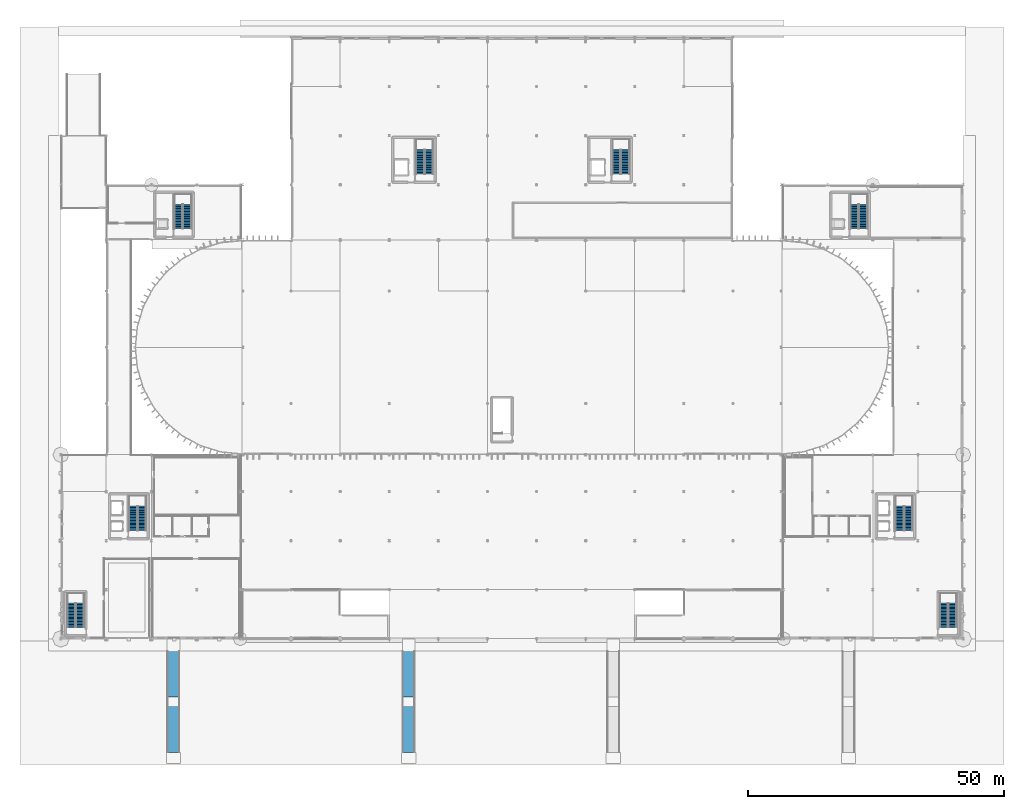
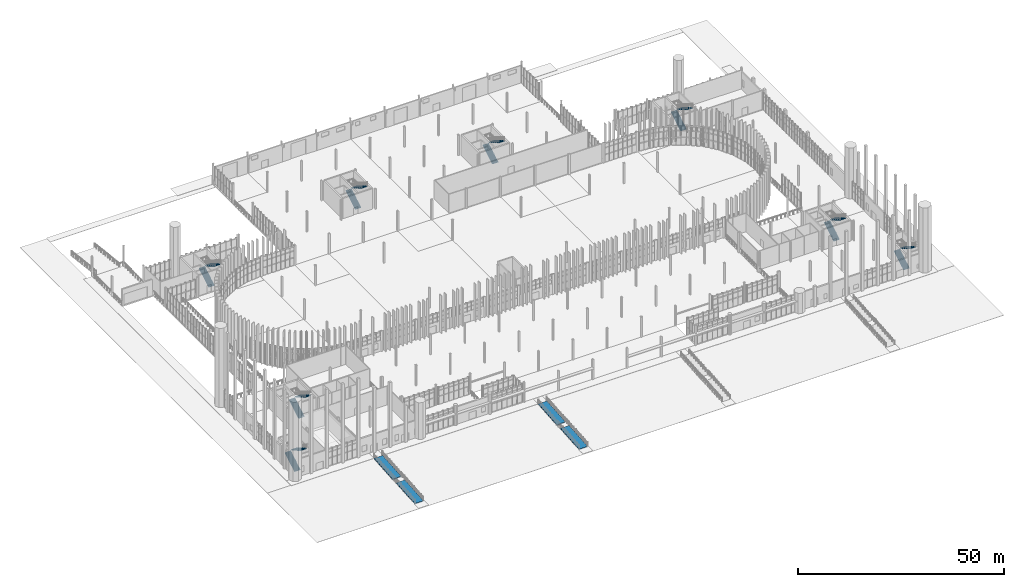
# One storey, part 108 of 139: 16 stair flights, 4 ramp flights, 10 elements without a shape of their own.
"""IFC4 building model written with IfcOpenShell, lengths in metres."""

from ifc_helpers import new_model, si_unit, direction, frame, origin, place, context, subcontext, project, spatial, polyline, outline, extrude, material, layer, layer_set, type_object, element, aggregate, save


model = new_model("IFC4")

# Units and contexts
model_context = context("Model", 3, precision=1e-05, world=origin(), true_north=direction((0.0, 1.0)))
body_context = subcontext(model_context, "Body", "Model", "MODEL_VIEW")
ifc_project = project(units=[si_unit("LENGTHUNIT", "METRE"), si_unit("AREAUNIT", "SQUARE_METRE"), si_unit("VOLUMEUNIT", "CUBIC_METRE"), si_unit("PLANEANGLEUNIT", "RADIAN"), si_unit("MASSUNIT", "GRAM", prefix="KILO")], contexts=[model_context])

# Site, building, storey
site_placement = place(None, origin())
site = spatial("IfcSite", under=ifc_project, at=site_placement, CompositionType="ELEMENT")
building_placement = place(site_placement, origin())
building = spatial("IfcBuilding", under=site, at=building_placement, Name="Yeouljin Market Hall", CompositionType="ELEMENT")
storey_placement = place(building_placement, origin())
storey = spatial("IfcBuildingStorey", under=building, at=storey_placement, Name="L00", CompositionType="ELEMENT", Elevation=0.0)

# Stair, stair flights
ifc_material_1 = material(Name="Concrete C30/37", Category="concrete")
stair_type_1 = type_object("IfcStairType", Name="Stair_Core_L00_L01", PredefinedType="TWO_STRAIGHT_RUN_STAIR", material=ifc_material_1)
stair_1_placement = place(storey_placement, origin())
stair_1 = element("IfcStair", 1, at=stair_1_placement, inside=storey, type_object=stair_type_1, Name="Enclosed exit stair ST-C1-L00", PredefinedType="TWO_STRAIGHT_RUN_STAIR")
ifc_material_2 = material(Name="Concrete C30/37", Category="concrete")
ifc_layer_1 = layer(ifc_material_2, 0.159912109375)
ifc_layer_set_1 = layer_set([ifc_layer_1], Name="Concrete C30/37")
stair_flight_type_1 = type_object("IfcStairFlightType", Name="StairFlight_1580", PredefinedType="STRAIGHT", material=ifc_layer_set_1)
stair_flight_1_placement = place(storey_placement, frame((14.14990234375, 21.199951171875, 0.0), z_axis=(0.0, 0.0, 1.0), x_axis=(0.0, 1.0, 0.0)))
stair_flight_1 = element("IfcStairFlight", 2, at=stair_flight_1_placement, type_object=stair_flight_type_1, Name="ST-C1-L00 flight 1", NumberOfRisers=18, NumberOfTreads=17, PredefinedType="STRAIGHT", RiserHeight=0.166666667, TreadLength=0.28, context=body_context, shape_type="SweptSolid", body=[
    extrude(outline(polyline([(0.0, 0.0), (0.0, 0.166748046875), (0.280029296875, 0.166748046875), (0.280029296875, 0.333251953125), (0.56005859375, 0.333251953125), (0.56005859375, 0.5), (0.840087890625, 0.5), (0.840087890625, 0.666748046875), (1.1201171875, 0.666748046875), (1.1201171875, 0.833251953125), (1.39990234375, 0.833251953125), (1.39990234375, 1.0), (1.679931640625, 1.0), (1.679931640625, 1.166748046875), (1.9599609375, 1.166748046875), (1.9599609375, 1.333251953125), (2.239990234375, 1.333251953125), (2.239990234375, 1.5), (2.52001953125, 1.5), (2.52001953125, 1.666748046875), (2.800048828125, 1.666748046875), (2.800048828125, 1.833251953125), (3.080078125, 1.833251953125), (3.080078125, 2.0), (3.360107421875, 2.0), (3.360107421875, 2.166748046875), (3.639892578125, 2.166748046875), (3.639892578125, 2.333251953125), (3.919921875, 2.333251953125), (3.919921875, 2.5), (4.199951171875, 2.5), (4.199951171875, 2.666748046875), (4.47998046875, 2.666748046875), (4.47998046875, 2.833251953125), (4.760009765625, 2.833251953125), (4.760009765625, 3.0), (4.760009765625, 2.6240234375), (0.351806640625, 0.0), (0.0, 0.0)])), frame((0.0, 0.81005859375, 0.0), z_axis=(0.0, -1.0, 0.0), x_axis=(1.0, 0.0, 0.0)), (0.0, 0.0, 1.0), 1.6201171875),
])
stair_flight_2_placement = place(storey_placement, frame((15.85009765625, 25.9599609375, 3.0), z_axis=(0.0, 0.0, 1.0), x_axis=(0.0, -1.0, 0.0)))
stair_flight_2 = element("IfcStairFlight", 3, at=stair_flight_2_placement, type_object=stair_flight_type_1, Name="ST-C1-L00 flight 2", NumberOfRisers=18, NumberOfTreads=17, PredefinedType="STRAIGHT", RiserHeight=0.166666667, TreadLength=0.28, context=body_context, shape_type="SweptSolid", body=[
    extrude(outline(polyline([(0.0, 0.0), (0.0, 0.166748046875), (0.280029296875, 0.166748046875), (0.280029296875, 0.333251953125), (0.56005859375, 0.333251953125), (0.56005859375, 0.5), (0.840087890625, 0.5), (0.840087890625, 0.666748046875), (1.1201171875, 0.666748046875), (1.1201171875, 0.833251953125), (1.39990234375, 0.833251953125), (1.39990234375, 1.0), (1.679931640625, 1.0), (1.679931640625, 1.166748046875), (1.9599609375, 1.166748046875), (1.9599609375, 1.333251953125), (2.239990234375, 1.333251953125), (2.239990234375, 1.5), (2.52001953125, 1.5), (2.52001953125, 1.666748046875), (2.800048828125, 1.666748046875), (2.800048828125, 1.833251953125), (3.080078125, 1.833251953125), (3.080078125, 2.0), (3.360107421875, 2.0), (3.360107421875, 2.166748046875), (3.639892578125, 2.166748046875), (3.639892578125, 2.333251953125), (3.919921875, 2.333251953125), (3.919921875, 2.5), (4.199951171875, 2.5), (4.199951171875, 2.666748046875), (4.47998046875, 2.666748046875), (4.47998046875, 2.833251953125), (4.760009765625, 2.833251953125), (4.760009765625, 3.0), (4.760009765625, 2.6240234375), (0.351806640625, 0.0), (0.0, 0.0)])), frame((0.0, 0.81005859375, 0.0), z_axis=(0.0, -1.0, 0.0), x_axis=(1.0, 0.0, 0.0)), (0.0, 0.0, 1.0), 1.6201171875),
])
aggregate(stair_1, [stair_flight_1, stair_flight_2])

ifc_material_3 = material(Name="Concrete C30/37", Category="concrete")
stair_type_2 = type_object("IfcStairType", Name="Stair_Escape_Wing", PredefinedType="HALF_TURN_STAIR", material=ifc_material_3)
stair_2_placement = place(storey_placement, origin())
stair_2 = element("IfcStair", 4, at=stair_2_placement, inside=storey, type_object=stair_type_2, Name="Enclosed exit stair ST-S7-L00", PredefinedType="HALF_TURN_STAIR")
stair_flight_3_placement = place(storey_placement, frame((2.050048828125, 2.25, 0.0), z_axis=(0.0, 0.0, 1.0), x_axis=(0.0, 1.0, 0.0)))
stair_flight_3 = element("IfcStairFlight", 5, at=stair_flight_3_placement, type_object=stair_flight_type_1, Name="ST-S7-L00 flight 1", NumberOfRisers=18, NumberOfTreads=17, PredefinedType="STRAIGHT", RiserHeight=0.166666667, TreadLength=0.28, context=body_context, shape_type="SweptSolid", body=[
    extrude(outline(polyline([(0.0, 0.0), (0.0, 0.166748046875), (0.280029296875, 0.166748046875), (0.280029296875, 0.333251953125), (0.56005859375, 0.333251953125), (0.56005859375, 0.5), (0.840087890625, 0.5), (0.840087890625, 0.666748046875), (1.1201171875, 0.666748046875), (1.1201171875, 0.833251953125), (1.39990234375, 0.833251953125), (1.39990234375, 1.0), (1.679931640625, 1.0), (1.679931640625, 1.166748046875), (1.9599609375, 1.166748046875), (1.9599609375, 1.333251953125), (2.239990234375, 1.333251953125), (2.239990234375, 1.5), (2.52001953125, 1.5), (2.52001953125, 1.666748046875), (2.800048828125, 1.666748046875), (2.800048828125, 1.833251953125), (3.080078125, 1.833251953125), (3.080078125, 2.0), (3.360107421875, 2.0), (3.360107421875, 2.166748046875), (3.639892578125, 2.166748046875), (3.639892578125, 2.333251953125), (3.919921875, 2.333251953125), (3.919921875, 2.5), (4.199951171875, 2.5), (4.199951171875, 2.666748046875), (4.47998046875, 2.666748046875), (4.47998046875, 2.833251953125), (4.760009765625, 2.833251953125), (4.760009765625, 3.0), (4.760009765625, 2.6240234375), (0.351806640625, 0.0), (0.0, 0.0)])), frame((0.0, 0.81005859375, 0.0), z_axis=(0.0, -1.0, 0.0), x_axis=(1.0, 0.0, 0.0)), (0.0, 0.0, 1.0), 1.6201171875),
])
stair_flight_4_placement = place(storey_placement, frame((3.75, 7.010009765625, 3.0), z_axis=(0.0, 0.0, 1.0), x_axis=(0.0, -1.0, 0.0)))
stair_flight_4 = element("IfcStairFlight", 6, at=stair_flight_4_placement, type_object=stair_flight_type_1, Name="ST-S7-L00 flight 2", NumberOfRisers=18, NumberOfTreads=17, PredefinedType="STRAIGHT", RiserHeight=0.166666667, TreadLength=0.28, context=body_context, shape_type="SweptSolid", body=[
    extrude(outline(polyline([(0.0, 0.0), (0.0, 0.166748046875), (0.280029296875, 0.166748046875), (0.280029296875, 0.333251953125), (0.56005859375, 0.333251953125), (0.56005859375, 0.5), (0.840087890625, 0.5), (0.840087890625, 0.666748046875), (1.1201171875, 0.666748046875), (1.1201171875, 0.833251953125), (1.39990234375, 0.833251953125), (1.39990234375, 1.0), (1.679931640625, 1.0), (1.679931640625, 1.166748046875), (1.9599609375, 1.166748046875), (1.9599609375, 1.333251953125), (2.239990234375, 1.333251953125), (2.239990234375, 1.5), (2.52001953125, 1.5), (2.52001953125, 1.666748046875), (2.800048828125, 1.666748046875), (2.800048828125, 1.833251953125), (3.080078125, 1.833251953125), (3.080078125, 2.0), (3.360107421875, 2.0), (3.360107421875, 2.166748046875), (3.639892578125, 2.166748046875), (3.639892578125, 2.333251953125), (3.919921875, 2.333251953125), (3.919921875, 2.5), (4.199951171875, 2.5), (4.199951171875, 2.666748046875), (4.47998046875, 2.666748046875), (4.47998046875, 2.833251953125), (4.760009765625, 2.833251953125), (4.760009765625, 3.0), (4.760009765625, 2.6240234375), (0.351806640625, 0.0), (0.0, 0.0)])), frame((0.0, 0.81005859375, 0.0), z_axis=(0.0, -1.0, 0.0), x_axis=(1.0, 0.0, 0.0)), (0.0, 0.0, 1.0), 1.6201171875),
])
aggregate(stair_2, [stair_flight_3, stair_flight_4])

stair_3_placement = place(storey_placement, origin())
stair_3 = element("IfcStair", 7, at=stair_3_placement, inside=storey, type_object=stair_type_1, Name="Enclosed exit stair ST-C2-L00", PredefinedType="TWO_STRAIGHT_RUN_STAIR")
ifc_material_4 = material(Name="Concrete C30/37", Category="concrete")
ifc_layer_2 = layer(ifc_material_4, 0.179931640625)
ifc_layer_set_2 = layer_set([ifc_layer_2], Name="Concrete C30/37")
stair_flight_type_2 = type_object("IfcStairFlightType", Name="StairFlight_1620", PredefinedType="STRAIGHT", material=ifc_layer_set_2)
stair_flight_5_placement = place(storey_placement, frame((23.0, 80.199951171875, 0.0), z_axis=(0.0, 0.0, 1.0), x_axis=(0.0, 1.0, 0.0)))
stair_flight_5 = element("IfcStairFlight", 8, at=stair_flight_5_placement, type_object=stair_flight_type_2, Name="ST-C2-L00 flight 1", NumberOfRisers=18, NumberOfTreads=17, PredefinedType="STRAIGHT", RiserHeight=0.166666667, TreadLength=0.28, context=body_context, shape_type="SweptSolid", body=[
    extrude(outline(polyline([(0.0, 0.0), (0.0, 0.166748046875), (0.280029296875, 0.166748046875), (0.280029296875, 0.333251953125), (0.56005859375, 0.333251953125), (0.56005859375, 0.5), (0.840087890625, 0.5), (0.840087890625, 0.666748046875), (1.1201171875, 0.666748046875), (1.1201171875, 0.833251953125), (1.39990234375, 0.833251953125), (1.39990234375, 1.0), (1.679931640625, 1.0), (1.679931640625, 1.166748046875), (1.9599609375, 1.166748046875), (1.9599609375, 1.333251953125), (2.239990234375, 1.333251953125), (2.239990234375, 1.5), (2.52001953125, 1.5), (2.52001953125, 1.666748046875), (2.800048828125, 1.666748046875), (2.800048828125, 1.833251953125), (3.080078125, 1.833251953125), (3.080078125, 2.0), (3.360107421875, 2.0), (3.360107421875, 2.166748046875), (3.639892578125, 2.166748046875), (3.639892578125, 2.333251953125), (3.919921875, 2.333251953125), (3.919921875, 2.5), (4.199951171875, 2.5), (4.199951171875, 2.666748046875), (4.47998046875, 2.666748046875), (4.47998046875, 2.833251953125), (4.760009765625, 2.833251953125), (4.760009765625, 3.0), (4.760009765625, 2.6240234375), (0.351806640625, 0.0), (0.0, 0.0)])), frame((0.0, 0.81005859375, 0.0), z_axis=(0.0, -1.0, 0.0), x_axis=(1.0, 0.0, 0.0)), (0.0, 0.0, 1.0), 1.6201171875),
])
stair_flight_6_placement = place(storey_placement, frame((24.699951171875, 84.9599609375, 3.0), z_axis=(0.0, 0.0, 1.0), x_axis=(0.0, -1.0, 0.0)))
stair_flight_6 = element("IfcStairFlight", 9, at=stair_flight_6_placement, type_object=stair_flight_type_2, Name="ST-C2-L00 flight 2", NumberOfRisers=18, NumberOfTreads=17, PredefinedType="STRAIGHT", RiserHeight=0.166666667, TreadLength=0.28, context=body_context, shape_type="SweptSolid", body=[
    extrude(outline(polyline([(0.0, 0.0), (0.0, 0.166748046875), (0.280029296875, 0.166748046875), (0.280029296875, 0.333251953125), (0.56005859375, 0.333251953125), (0.56005859375, 0.5), (0.840087890625, 0.5), (0.840087890625, 0.666748046875), (1.1201171875, 0.666748046875), (1.1201171875, 0.833251953125), (1.39990234375, 0.833251953125), (1.39990234375, 1.0), (1.679931640625, 1.0), (1.679931640625, 1.166748046875), (1.9599609375, 1.166748046875), (1.9599609375, 1.333251953125), (2.239990234375, 1.333251953125), (2.239990234375, 1.5), (2.52001953125, 1.5), (2.52001953125, 1.666748046875), (2.800048828125, 1.666748046875), (2.800048828125, 1.833251953125), (3.080078125, 1.833251953125), (3.080078125, 2.0), (3.360107421875, 2.0), (3.360107421875, 2.166748046875), (3.639892578125, 2.166748046875), (3.639892578125, 2.333251953125), (3.919921875, 2.333251953125), (3.919921875, 2.5), (4.199951171875, 2.5), (4.199951171875, 2.666748046875), (4.47998046875, 2.666748046875), (4.47998046875, 2.833251953125), (4.760009765625, 2.833251953125), (4.760009765625, 3.0), (4.760009765625, 2.6240234375), (0.351806640625, 0.0), (0.0, 0.0)])), frame((0.0, 0.81005859375, 0.0), z_axis=(0.0, -1.0, 0.0), x_axis=(1.0, 0.0, 0.0)), (0.0, 0.0, 1.0), 1.6201171875),
])
aggregate(stair_3, [stair_flight_5, stair_flight_6])

stair_4_placement = place(storey_placement, origin())
stair_4 = element("IfcStair", 10, at=stair_4_placement, inside=storey, type_object=stair_type_1, Name="Enclosed exit stair ST-C3-L00", PredefinedType="TWO_STRAIGHT_RUN_STAIR")
stair_flight_7_placement = place(storey_placement, frame((164.02001953125, 21.199951171875, 0.0), z_axis=(0.0, 0.0, 1.0), x_axis=(0.0, 1.0, 0.0)))
stair_flight_7 = element("IfcStairFlight", 11, at=stair_flight_7_placement, type_object=stair_flight_type_2, Name="ST-C3-L00 flight 1", NumberOfRisers=18, NumberOfTreads=17, PredefinedType="STRAIGHT", RiserHeight=0.166666667, TreadLength=0.28, context=body_context, shape_type="SweptSolid", body=[
    extrude(outline(polyline([(0.0, 0.0), (0.0, 0.166748046875), (0.280029296875, 0.166748046875), (0.280029296875, 0.333251953125), (0.56005859375, 0.333251953125), (0.56005859375, 0.5), (0.840087890625, 0.5), (0.840087890625, 0.666748046875), (1.1201171875, 0.666748046875), (1.1201171875, 0.833251953125), (1.39990234375, 0.833251953125), (1.39990234375, 1.0), (1.679931640625, 1.0), (1.679931640625, 1.166748046875), (1.9599609375, 1.166748046875), (1.9599609375, 1.333251953125), (2.239990234375, 1.333251953125), (2.239990234375, 1.5), (2.52001953125, 1.5), (2.52001953125, 1.666748046875), (2.800048828125, 1.666748046875), (2.800048828125, 1.833251953125), (3.080078125, 1.833251953125), (3.080078125, 2.0), (3.360107421875, 2.0), (3.360107421875, 2.166748046875), (3.639892578125, 2.166748046875), (3.639892578125, 2.333251953125), (3.919921875, 2.333251953125), (3.919921875, 2.5), (4.199951171875, 2.5), (4.199951171875, 2.666748046875), (4.47998046875, 2.666748046875), (4.47998046875, 2.833251953125), (4.760009765625, 2.833251953125), (4.760009765625, 3.0), (4.760009765625, 2.6240234375), (0.351806640625, 0.0), (0.0, 0.0)])), frame((0.0, 0.81005859375, 0.0), z_axis=(0.0, -1.0, 0.0), x_axis=(1.0, 0.0, 0.0)), (0.0, 0.0, 1.0), 1.6201171875),
])
stair_flight_8_placement = place(storey_placement, frame((165.719970703125, 25.9599609375, 3.0), z_axis=(0.0, 0.0, 1.0), x_axis=(0.0, -1.0, 0.0)))
stair_flight_8 = element("IfcStairFlight", 12, at=stair_flight_8_placement, type_object=stair_flight_type_2, Name="ST-C3-L00 flight 2", NumberOfRisers=18, NumberOfTreads=17, PredefinedType="STRAIGHT", RiserHeight=0.166666667, TreadLength=0.28, context=body_context, shape_type="SweptSolid", body=[
    extrude(outline(polyline([(0.0, 0.0), (0.0, 0.166748046875), (0.280029296875, 0.166748046875), (0.280029296875, 0.333251953125), (0.56005859375, 0.333251953125), (0.56005859375, 0.5), (0.840087890625, 0.5), (0.840087890625, 0.666748046875), (1.1201171875, 0.666748046875), (1.1201171875, 0.833251953125), (1.39990234375, 0.833251953125), (1.39990234375, 1.0), (1.679931640625, 1.0), (1.679931640625, 1.166748046875), (1.9599609375, 1.166748046875), (1.9599609375, 1.333251953125), (2.239990234375, 1.333251953125), (2.239990234375, 1.5), (2.52001953125, 1.5), (2.52001953125, 1.666748046875), (2.800048828125, 1.666748046875), (2.800048828125, 1.833251953125), (3.080078125, 1.833251953125), (3.080078125, 2.0), (3.360107421875, 2.0), (3.360107421875, 2.166748046875), (3.639892578125, 2.166748046875), (3.639892578125, 2.333251953125), (3.919921875, 2.333251953125), (3.919921875, 2.5), (4.199951171875, 2.5), (4.199951171875, 2.666748046875), (4.47998046875, 2.666748046875), (4.47998046875, 2.833251953125), (4.760009765625, 2.833251953125), (4.760009765625, 3.0), (4.760009765625, 2.6240234375), (0.351806640625, 0.0), (0.0, 0.0)])), frame((0.0, 0.81005859375, 0.0), z_axis=(0.0, -1.0, 0.0), x_axis=(1.0, 0.0, 0.0)), (0.0, 0.0, 1.0), 1.6201171875),
])
aggregate(stair_4, [stair_flight_7, stair_flight_8])

stair_5_placement = place(storey_placement, origin())
stair_5 = element("IfcStair", 13, at=stair_5_placement, inside=storey, type_object=stair_type_1, Name="Enclosed exit stair ST-C4-L00", PredefinedType="TWO_STRAIGHT_RUN_STAIR")
stair_flight_9_placement = place(storey_placement, frame((155.18994140625, 80.199951171875, 0.0), z_axis=(0.0, 0.0, 1.0), x_axis=(0.0, 1.0, 0.0)))
stair_flight_9 = element("IfcStairFlight", 14, at=stair_flight_9_placement, type_object=stair_flight_type_2, Name="ST-C4-L00 flight 1", NumberOfRisers=18, NumberOfTreads=17, PredefinedType="STRAIGHT", RiserHeight=0.166666667, TreadLength=0.28, context=body_context, shape_type="SweptSolid", body=[
    extrude(outline(polyline([(0.0, 0.0), (0.0, 0.166748046875), (0.280029296875, 0.166748046875), (0.280029296875, 0.333251953125), (0.56005859375, 0.333251953125), (0.56005859375, 0.5), (0.840087890625, 0.5), (0.840087890625, 0.666748046875), (1.1201171875, 0.666748046875), (1.1201171875, 0.833251953125), (1.39990234375, 0.833251953125), (1.39990234375, 1.0), (1.679931640625, 1.0), (1.679931640625, 1.166748046875), (1.9599609375, 1.166748046875), (1.9599609375, 1.333251953125), (2.239990234375, 1.333251953125), (2.239990234375, 1.5), (2.52001953125, 1.5), (2.52001953125, 1.666748046875), (2.800048828125, 1.666748046875), (2.800048828125, 1.833251953125), (3.080078125, 1.833251953125), (3.080078125, 2.0), (3.360107421875, 2.0), (3.360107421875, 2.166748046875), (3.639892578125, 2.166748046875), (3.639892578125, 2.333251953125), (3.919921875, 2.333251953125), (3.919921875, 2.5), (4.199951171875, 2.5), (4.199951171875, 2.666748046875), (4.47998046875, 2.666748046875), (4.47998046875, 2.833251953125), (4.760009765625, 2.833251953125), (4.760009765625, 3.0), (4.760009765625, 2.6240234375), (0.351806640625, 0.0), (0.0, 0.0)])), frame((0.0, 0.81005859375, 0.0), z_axis=(0.0, -1.0, 0.0), x_axis=(1.0, 0.0, 0.0)), (0.0, 0.0, 1.0), 1.6201171875),
])
stair_flight_10_placement = place(storey_placement, frame((156.889892578125, 84.9599609375, 3.0), z_axis=(0.0, 0.0, 1.0), x_axis=(0.0, -1.0, 0.0)))
stair_flight_10 = element("IfcStairFlight", 15, at=stair_flight_10_placement, type_object=stair_flight_type_2, Name="ST-C4-L00 flight 2", NumberOfRisers=18, NumberOfTreads=17, PredefinedType="STRAIGHT", RiserHeight=0.166666667, TreadLength=0.28, context=body_context, shape_type="SweptSolid", body=[
    extrude(outline(polyline([(0.0, 0.0), (0.0, 0.166748046875), (0.280029296875, 0.166748046875), (0.280029296875, 0.333251953125), (0.56005859375, 0.333251953125), (0.56005859375, 0.5), (0.840087890625, 0.5), (0.840087890625, 0.666748046875), (1.1201171875, 0.666748046875), (1.1201171875, 0.833251953125), (1.39990234375, 0.833251953125), (1.39990234375, 1.0), (1.679931640625, 1.0), (1.679931640625, 1.166748046875), (1.9599609375, 1.166748046875), (1.9599609375, 1.333251953125), (2.239990234375, 1.333251953125), (2.239990234375, 1.5), (2.52001953125, 1.5), (2.52001953125, 1.666748046875), (2.800048828125, 1.666748046875), (2.800048828125, 1.833251953125), (3.080078125, 1.833251953125), (3.080078125, 2.0), (3.360107421875, 2.0), (3.360107421875, 2.166748046875), (3.639892578125, 2.166748046875), (3.639892578125, 2.333251953125), (3.919921875, 2.333251953125), (3.919921875, 2.5), (4.199951171875, 2.5), (4.199951171875, 2.666748046875), (4.47998046875, 2.666748046875), (4.47998046875, 2.833251953125), (4.760009765625, 2.833251953125), (4.760009765625, 3.0), (4.760009765625, 2.6240234375), (0.351806640625, 0.0), (0.0, 0.0)])), frame((0.0, 0.81005859375, 0.0), z_axis=(0.0, -1.0, 0.0), x_axis=(1.0, 0.0, 0.0)), (0.0, 0.0, 1.0), 1.6201171875),
])
aggregate(stair_5, [stair_flight_9, stair_flight_10])

stair_6_placement = place(storey_placement, origin())
stair_6 = element("IfcStair", 16, at=stair_6_placement, inside=storey, type_object=stair_type_1, Name="Enclosed exit stair ST-C5-L00", PredefinedType="TWO_STRAIGHT_RUN_STAIR")
stair_flight_11_placement = place(storey_placement, frame((70.25, 90.89990234375, 0.0), z_axis=(0.0, 0.0, 1.0), x_axis=(0.0, 1.0, 0.0)))
stair_flight_11 = element("IfcStairFlight", 17, at=stair_flight_11_placement, type_object=stair_flight_type_2, Name="ST-C5-L00 flight 1", NumberOfRisers=18, NumberOfTreads=17, PredefinedType="STRAIGHT", RiserHeight=0.166666667, TreadLength=0.28, context=body_context, shape_type="SweptSolid", body=[
    extrude(outline(polyline([(0.0, 0.0), (0.0, 0.166748046875), (0.280029296875, 0.166748046875), (0.280029296875, 0.333251953125), (0.56005859375, 0.333251953125), (0.56005859375, 0.5), (0.840087890625, 0.5), (0.840087890625, 0.666748046875), (1.1201171875, 0.666748046875), (1.1201171875, 0.833251953125), (1.39990234375, 0.833251953125), (1.39990234375, 1.0), (1.679931640625, 1.0), (1.679931640625, 1.166748046875), (1.9599609375, 1.166748046875), (1.9599609375, 1.333251953125), (2.239990234375, 1.333251953125), (2.239990234375, 1.5), (2.52001953125, 1.5), (2.52001953125, 1.666748046875), (2.800048828125, 1.666748046875), (2.800048828125, 1.833251953125), (3.080078125, 1.833251953125), (3.080078125, 2.0), (3.360107421875, 2.0), (3.360107421875, 2.166748046875), (3.639892578125, 2.166748046875), (3.639892578125, 2.333251953125), (3.919921875, 2.333251953125), (3.919921875, 2.5), (4.199951171875, 2.5), (4.199951171875, 2.666748046875), (4.47998046875, 2.666748046875), (4.47998046875, 2.833251953125), (4.760009765625, 2.833251953125), (4.760009765625, 3.0), (4.760009765625, 2.6240234375), (0.351806640625, 0.0), (0.0, 0.0)])), frame((0.0, 0.81005859375, 0.0), z_axis=(0.0, -1.0, 0.0), x_axis=(1.0, 0.0, 0.0)), (0.0, 0.0, 1.0), 1.6201171875),
])
stair_flight_12_placement = place(storey_placement, frame((71.949951171875, 95.659912109375, 3.0), z_axis=(0.0, 0.0, 1.0), x_axis=(0.0, -1.0, 0.0)))
stair_flight_12 = element("IfcStairFlight", 18, at=stair_flight_12_placement, type_object=stair_flight_type_2, Name="ST-C5-L00 flight 2", NumberOfRisers=18, NumberOfTreads=17, PredefinedType="STRAIGHT", RiserHeight=0.166666667, TreadLength=0.28, context=body_context, shape_type="SweptSolid", body=[
    extrude(outline(polyline([(0.0, 0.0), (0.0, 0.166748046875), (0.280029296875, 0.166748046875), (0.280029296875, 0.333251953125), (0.56005859375, 0.333251953125), (0.56005859375, 0.5), (0.840087890625, 0.5), (0.840087890625, 0.666748046875), (1.1201171875, 0.666748046875), (1.1201171875, 0.833251953125), (1.39990234375, 0.833251953125), (1.39990234375, 1.0), (1.679931640625, 1.0), (1.679931640625, 1.166748046875), (1.9599609375, 1.166748046875), (1.9599609375, 1.333251953125), (2.239990234375, 1.333251953125), (2.239990234375, 1.5), (2.52001953125, 1.5), (2.52001953125, 1.666748046875), (2.800048828125, 1.666748046875), (2.800048828125, 1.833251953125), (3.080078125, 1.833251953125), (3.080078125, 2.0), (3.360107421875, 2.0), (3.360107421875, 2.166748046875), (3.639892578125, 2.166748046875), (3.639892578125, 2.333251953125), (3.919921875, 2.333251953125), (3.919921875, 2.5), (4.199951171875, 2.5), (4.199951171875, 2.666748046875), (4.47998046875, 2.666748046875), (4.47998046875, 2.833251953125), (4.760009765625, 2.833251953125), (4.760009765625, 3.0), (4.760009765625, 2.6240234375), (0.351806640625, 0.0), (0.0, 0.0)])), frame((0.0, 0.81005859375, 0.0), z_axis=(0.0, -1.0, 0.0), x_axis=(1.0, 0.0, 0.0)), (0.0, 0.0, 1.0), 1.6201171875),
])
aggregate(stair_6, [stair_flight_11, stair_flight_12])

stair_7_placement = place(storey_placement, origin())
stair_7 = element("IfcStair", 19, at=stair_7_placement, inside=storey, type_object=stair_type_1, Name="Enclosed exit stair ST-C6-L00", PredefinedType="TWO_STRAIGHT_RUN_STAIR")
stair_flight_13_placement = place(storey_placement, frame((108.64990234375, 90.89990234375, 0.0), z_axis=(0.0, 0.0, 1.0), x_axis=(0.0, 1.0, 0.0)))
stair_flight_13 = element("IfcStairFlight", 20, at=stair_flight_13_placement, type_object=stair_flight_type_2, Name="ST-C6-L00 flight 1", NumberOfRisers=18, NumberOfTreads=17, PredefinedType="STRAIGHT", RiserHeight=0.166666667, TreadLength=0.28, context=body_context, shape_type="SweptSolid", body=[
    extrude(outline(polyline([(0.0, 0.0), (0.0, 0.166748046875), (0.280029296875, 0.166748046875), (0.280029296875, 0.333251953125), (0.56005859375, 0.333251953125), (0.56005859375, 0.5), (0.840087890625, 0.5), (0.840087890625, 0.666748046875), (1.1201171875, 0.666748046875), (1.1201171875, 0.833251953125), (1.39990234375, 0.833251953125), (1.39990234375, 1.0), (1.679931640625, 1.0), (1.679931640625, 1.166748046875), (1.9599609375, 1.166748046875), (1.9599609375, 1.333251953125), (2.239990234375, 1.333251953125), (2.239990234375, 1.5), (2.52001953125, 1.5), (2.52001953125, 1.666748046875), (2.800048828125, 1.666748046875), (2.800048828125, 1.833251953125), (3.080078125, 1.833251953125), (3.080078125, 2.0), (3.360107421875, 2.0), (3.360107421875, 2.166748046875), (3.639892578125, 2.166748046875), (3.639892578125, 2.333251953125), (3.919921875, 2.333251953125), (3.919921875, 2.5), (4.199951171875, 2.5), (4.199951171875, 2.666748046875), (4.47998046875, 2.666748046875), (4.47998046875, 2.833251953125), (4.760009765625, 2.833251953125), (4.760009765625, 3.0), (4.760009765625, 2.6240234375), (0.351806640625, 0.0), (0.0, 0.0)])), frame((0.0, 0.81005859375, 0.0), z_axis=(0.0, -1.0, 0.0), x_axis=(1.0, 0.0, 0.0)), (0.0, 0.0, 1.0), 1.6201171875),
])
stair_flight_14_placement = place(storey_placement, frame((110.35009765625, 95.659912109375, 3.0), z_axis=(0.0, 0.0, 1.0), x_axis=(0.0, -1.0, 0.0)))
stair_flight_14 = element("IfcStairFlight", 21, at=stair_flight_14_placement, type_object=stair_flight_type_2, Name="ST-C6-L00 flight 2", NumberOfRisers=18, NumberOfTreads=17, PredefinedType="STRAIGHT", RiserHeight=0.166666667, TreadLength=0.28, context=body_context, shape_type="SweptSolid", body=[
    extrude(outline(polyline([(0.0, 0.0), (0.0, 0.166748046875), (0.280029296875, 0.166748046875), (0.280029296875, 0.333251953125), (0.56005859375, 0.333251953125), (0.56005859375, 0.5), (0.840087890625, 0.5), (0.840087890625, 0.666748046875), (1.1201171875, 0.666748046875), (1.1201171875, 0.833251953125), (1.39990234375, 0.833251953125), (1.39990234375, 1.0), (1.679931640625, 1.0), (1.679931640625, 1.166748046875), (1.9599609375, 1.166748046875), (1.9599609375, 1.333251953125), (2.239990234375, 1.333251953125), (2.239990234375, 1.5), (2.52001953125, 1.5), (2.52001953125, 1.666748046875), (2.800048828125, 1.666748046875), (2.800048828125, 1.833251953125), (3.080078125, 1.833251953125), (3.080078125, 2.0), (3.360107421875, 2.0), (3.360107421875, 2.166748046875), (3.639892578125, 2.166748046875), (3.639892578125, 2.333251953125), (3.919921875, 2.333251953125), (3.919921875, 2.5), (4.199951171875, 2.5), (4.199951171875, 2.666748046875), (4.47998046875, 2.666748046875), (4.47998046875, 2.833251953125), (4.760009765625, 2.833251953125), (4.760009765625, 3.0), (4.760009765625, 2.6240234375), (0.351806640625, 0.0), (0.0, 0.0)])), frame((0.0, 0.81005859375, 0.0), z_axis=(0.0, -1.0, 0.0), x_axis=(1.0, 0.0, 0.0)), (0.0, 0.0, 1.0), 1.6201171875),
])
aggregate(stair_7, [stair_flight_13, stair_flight_14])

stair_8_placement = place(storey_placement, origin())
stair_8 = element("IfcStair", 22, at=stair_8_placement, inside=storey, type_object=stair_type_2, Name="Enclosed exit stair ST-S8-L00", PredefinedType="HALF_TURN_STAIR")
ifc_material_5 = material(Name="Concrete C30/37", Category="concrete")
ifc_layer_3 = layer(ifc_material_5, 0.199951171875)
ifc_layer_set_3 = layer_set([ifc_layer_3], Name="Concrete C30/37")
stair_flight_type_3 = type_object("IfcStairFlightType", Name="StairFlight_1660", PredefinedType="STRAIGHT", material=ifc_layer_set_3)
stair_flight_15_placement = place(storey_placement, frame((172.64990234375, 2.25, 0.0), z_axis=(0.0, 0.0, 1.0), x_axis=(0.0, 1.0, 0.0)))
stair_flight_15 = element("IfcStairFlight", 23, at=stair_flight_15_placement, type_object=stair_flight_type_3, Name="ST-S8-L00 flight 1", NumberOfRisers=18, NumberOfTreads=17, PredefinedType="STRAIGHT", RiserHeight=0.166666667, TreadLength=0.28, context=body_context, shape_type="SweptSolid", body=[
    extrude(outline(polyline([(0.0, 0.0), (0.0, 0.166748046875), (0.280029296875, 0.166748046875), (0.280029296875, 0.333251953125), (0.56005859375, 0.333251953125), (0.56005859375, 0.5), (0.840087890625, 0.5), (0.840087890625, 0.666748046875), (1.1201171875, 0.666748046875), (1.1201171875, 0.833251953125), (1.39990234375, 0.833251953125), (1.39990234375, 1.0), (1.679931640625, 1.0), (1.679931640625, 1.166748046875), (1.9599609375, 1.166748046875), (1.9599609375, 1.333251953125), (2.239990234375, 1.333251953125), (2.239990234375, 1.5), (2.52001953125, 1.5), (2.52001953125, 1.666748046875), (2.800048828125, 1.666748046875), (2.800048828125, 1.833251953125), (3.080078125, 1.833251953125), (3.080078125, 2.0), (3.360107421875, 2.0), (3.360107421875, 2.166748046875), (3.639892578125, 2.166748046875), (3.639892578125, 2.333251953125), (3.919921875, 2.333251953125), (3.919921875, 2.5), (4.199951171875, 2.5), (4.199951171875, 2.666748046875), (4.47998046875, 2.666748046875), (4.47998046875, 2.833251953125), (4.760009765625, 2.833251953125), (4.760009765625, 3.0), (4.760009765625, 2.6240234375), (0.351806640625, 0.0), (0.0, 0.0)])), frame((0.0, 0.81005859375, 0.0), z_axis=(0.0, -1.0, 0.0), x_axis=(1.0, 0.0, 0.0)), (0.0, 0.0, 1.0), 1.6201171875),
])
stair_flight_16_placement = place(storey_placement, frame((174.35009765625, 7.010009765625, 3.0), z_axis=(0.0, 0.0, 1.0), x_axis=(0.0, -1.0, 0.0)))
stair_flight_16 = element("IfcStairFlight", 24, at=stair_flight_16_placement, type_object=stair_flight_type_3, Name="ST-S8-L00 flight 2", NumberOfRisers=18, NumberOfTreads=17, PredefinedType="STRAIGHT", RiserHeight=0.166666667, TreadLength=0.28, context=body_context, shape_type="SweptSolid", body=[
    extrude(outline(polyline([(0.0, 0.0), (0.0, 0.166748046875), (0.280029296875, 0.166748046875), (0.280029296875, 0.333251953125), (0.56005859375, 0.333251953125), (0.56005859375, 0.5), (0.840087890625, 0.5), (0.840087890625, 0.666748046875), (1.1201171875, 0.666748046875), (1.1201171875, 0.833251953125), (1.39990234375, 0.833251953125), (1.39990234375, 1.0), (1.679931640625, 1.0), (1.679931640625, 1.166748046875), (1.9599609375, 1.166748046875), (1.9599609375, 1.333251953125), (2.239990234375, 1.333251953125), (2.239990234375, 1.5), (2.52001953125, 1.5), (2.52001953125, 1.666748046875), (2.800048828125, 1.666748046875), (2.800048828125, 1.833251953125), (3.080078125, 1.833251953125), (3.080078125, 2.0), (3.360107421875, 2.0), (3.360107421875, 2.166748046875), (3.639892578125, 2.166748046875), (3.639892578125, 2.333251953125), (3.919921875, 2.333251953125), (3.919921875, 2.5), (4.199951171875, 2.5), (4.199951171875, 2.666748046875), (4.47998046875, 2.666748046875), (4.47998046875, 2.833251953125), (4.760009765625, 2.833251953125), (4.760009765625, 3.0), (4.760009765625, 2.6240234375), (0.351806640625, 0.0), (0.0, 0.0)])), frame((0.0, 0.81005859375, 0.0), z_axis=(0.0, -1.0, 0.0), x_axis=(1.0, 0.0, 0.0)), (0.0, 0.0, 1.0), 1.6201171875),
])
aggregate(stair_8, [stair_flight_15, stair_flight_16])

# Ramp, ramp flights
ifc_material_6 = material(Name="Concrete C30/37", Category="concrete")
ramp_type = type_object("IfcRampType", Name="Ramp_Pedestrian_Granite", PredefinedType="STRAIGHT_RUN_RAMP", material=ifc_material_6)
ramp_1_placement = place(storey_placement, origin())
ramp_1 = element("IfcRamp", 25, at=ramp_1_placement, inside=storey, type_object=ramp_type, Name="Boulevard plinth accessible pedestrian ramp 01", PredefinedType="STRAIGHT_RUN_RAMP")
ifc_material_7 = material(Name="Concrete C30/37", Category="concrete")
ifc_layer_4 = layer(ifc_material_7, 0.25)
ifc_layer_set_4 = layer_set([ifc_layer_4], Name="Concrete C30/37")
ramp_flight_type = type_object("IfcRampFlightType", Name="RampFlight_Pedestrian_2400", PredefinedType="STRAIGHT", material=ifc_layer_set_4)
ramp_flight_1_placement = place(storey_placement, frame((22.0, -22.199951171875, -1.43994140625), z_axis=(0.0, 0.0, 1.0), x_axis=(0.0, 1.0, 0.0)))
ramp_flight_1 = element("IfcRampFlight", 26, at=ramp_flight_1_placement, type_object=ramp_flight_type, Name="Plinth pedestrian ramp 01 lower flight", PredefinedType="STRAIGHT", context=body_context, shape_type="SweptSolid", body=[
    extrude(outline(polyline([(0.0, 0.0), (9.0400390625, 0.719970703125), (9.0400390625, 0.469970703125), (0.0, -0.25), (0.0, 0.0)])), frame((0.0, 1.199951171875, 0.0), z_axis=(0.0, -1.0, 0.0), x_axis=(1.0, 0.0, 0.0)), (0.0, 0.0, 1.0), 2.39990234375),
])
ramp_flight_2_placement = place(storey_placement, frame((22.0, -11.419921875, -0.719970703125), z_axis=(0.0, 0.0, 1.0), x_axis=(0.0, 1.0, 0.0)))
ramp_flight_2 = element("IfcRampFlight", 27, at=ramp_flight_2_placement, type_object=ramp_flight_type, Name="Plinth pedestrian ramp 01 upper flight", PredefinedType="STRAIGHT", context=body_context, shape_type="SweptSolid", body=[
    extrude(outline(polyline([(0.0, 0.0), (9.0400390625, 0.719970703125), (9.0400390625, 0.469970703125), (0.0, -0.25), (0.0, 0.0)])), frame((0.0, 1.199951171875, 0.0), z_axis=(0.0, -1.0, 0.0), x_axis=(1.0, 0.0, 0.0)), (0.0, 0.0, 1.0), 2.39990234375),
])
aggregate(ramp_1, [ramp_flight_1, ramp_flight_2])

ramp_2_placement = place(storey_placement, origin())
ramp_2 = element("IfcRamp", 28, at=ramp_2_placement, inside=storey, type_object=ramp_type, Name="Boulevard plinth accessible pedestrian ramp 02", PredefinedType="STRAIGHT_RUN_RAMP")
ramp_flight_3_placement = place(storey_placement, frame((68.0, -22.199951171875, -1.43994140625), z_axis=(0.0, 0.0, 1.0), x_axis=(0.0, 1.0, 0.0)))
ramp_flight_3 = element("IfcRampFlight", 29, at=ramp_flight_3_placement, type_object=ramp_flight_type, Name="Plinth pedestrian ramp 02 lower flight", PredefinedType="STRAIGHT", context=body_context, shape_type="SweptSolid", body=[
    extrude(outline(polyline([(0.0, 0.0), (9.0400390625, 0.719970703125), (9.0400390625, 0.469970703125), (0.0, -0.25), (0.0, 0.0)])), frame((0.0, 1.199951171875, 0.0), z_axis=(0.0, -1.0, 0.0), x_axis=(1.0, 0.0, 0.0)), (0.0, 0.0, 1.0), 2.39990234375),
])
ramp_flight_4_placement = place(storey_placement, frame((68.0, -11.419921875, -0.719970703125), z_axis=(0.0, 0.0, 1.0), x_axis=(0.0, 1.0, 0.0)))
ramp_flight_4 = element("IfcRampFlight", 30, at=ramp_flight_4_placement, type_object=ramp_flight_type, Name="Plinth pedestrian ramp 02 upper flight", PredefinedType="STRAIGHT", context=body_context, shape_type="SweptSolid", body=[
    extrude(outline(polyline([(0.0, 0.0), (9.0400390625, 0.719970703125), (9.0400390625, 0.469970703125), (0.0, -0.25), (0.0, 0.0)])), frame((0.0, 1.199951171875, 0.0), z_axis=(0.0, -1.0, 0.0), x_axis=(1.0, 0.0, 0.0)), (0.0, 0.0, 1.0), 2.39990234375),
])
aggregate(ramp_2, [ramp_flight_3, ramp_flight_4])

save(model, "model.ifc")
